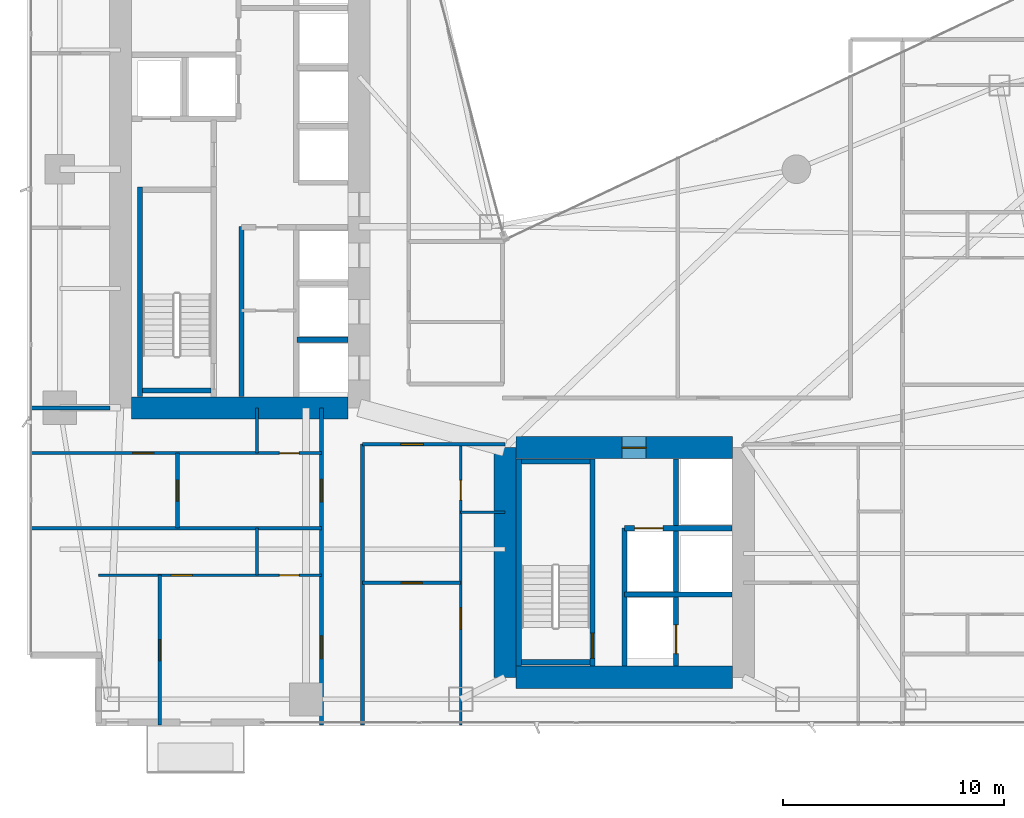
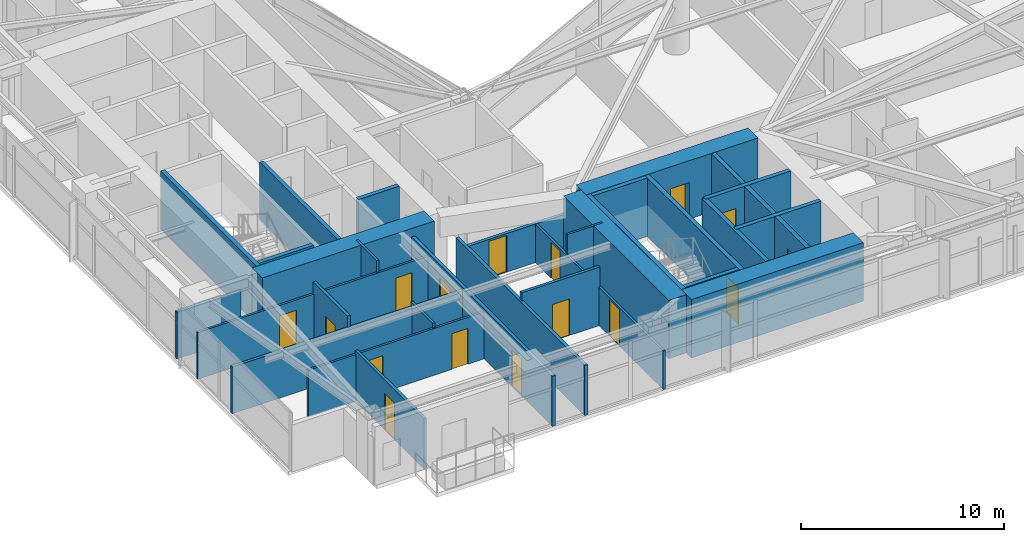
# One storey, part 21 of 28: 30 walls, 16 doors, 16 openings.
"""IFC4 building model written with IfcOpenShell, lengths in metres."""

from ifc_helpers import new_model, si_unit, direction, frame, frame_2d, origin, place, context, subcontext, project, spatial, rectangle, extrude, material, layer, layer_set, type_object, element, fill, save


model = new_model("IFC4")

# Units and contexts
model_context = context("Model", 3, precision=1e-05, world=origin(), true_north=direction((0.0, 1.0)))
body_context = subcontext(model_context, "Body", "Model", "MODEL_VIEW")
ifc_project = project(units=[si_unit("LENGTHUNIT", "METRE"), si_unit("AREAUNIT", "SQUARE_METRE"), si_unit("VOLUMEUNIT", "CUBIC_METRE"), si_unit("PLANEANGLEUNIT", "RADIAN"), si_unit("MASSUNIT", "GRAM", prefix="KILO")], contexts=[model_context])

# Site, building, storey
site_placement = place(None, origin())
site = spatial("IfcSite", under=ifc_project, at=site_placement, CompositionType="ELEMENT")
building_placement = place(site_placement, origin())
building = spatial("IfcBuilding", under=site, at=building_placement, Name="Calvorn Quay Hotel", CompositionType="ELEMENT")
storey_placement = place(building_placement, frame((0.0, 0.0, 42.199951171875)))
storey = spatial("IfcBuildingStorey", under=building, at=storey_placement, Name="L09", CompositionType="ELEMENT", Elevation=42.199951171875)

# Walls
ifc_material_1 = material(Name="Concrete C60", Category="concrete")
ifc_layer_1 = layer(ifc_material_1, 1.0)
ifc_layer_set_1 = layer_set([ifc_layer_1], Name="WL-CORE-1000")
wall_type_1 = type_object("IfcWallType", Name="WL-CORE-1000", PredefinedType="SHEAR", material=ifc_layer_set_1)
wall_1_placement = place(storey_placement, frame((4.699951171875, 16.800048828125, 0.0), z_axis=(0.0, 0.0, 1.0), x_axis=(1.0, 0.0, 0.0)))
element("IfcWall", 1, at=wall_1_placement, inside=storey, type_object=wall_type_1, Name="West Core Shear Wall S (L09)", PredefinedType="SHEAR", context=body_context, shape_type="SweptSolid", body=[
    extrude(rectangle(XDim=9.800048828125, YDim=1.0, at=frame_2d((4.89990234375, 0.0))), origin(), (0.0, 0.0, 1.0), 3.52001953125),
])
wall_2_placement = place(storey_placement, frame((21.60009765625, 4.60009765625, 0.0), z_axis=(0.0, 0.0, 1.0), x_axis=(0.0, 1.0, 0.0)))
element("IfcWall", 2, at=wall_2_placement, inside=storey, type_object=wall_type_1, Name="East Core Shear Wall W (L09)", PredefinedType="SHEAR", context=body_context, shape_type="SweptSolid", body=[
    extrude(rectangle(XDim=10.39990234375, YDim=1.0, at=frame_2d((5.199951171875, 0.0))), origin(), (0.0, 0.0, 1.0), 3.52001953125),
])

# Wall, opening, door
wall_3_placement = place(storey_placement, frame((22.10009765625, 15.0, 0.0), z_axis=(0.0, 0.0, 1.0), x_axis=(1.0, 0.0, 0.0)))
wall_3 = element("IfcWall", 3, at=wall_3_placement, inside=storey, type_object=wall_type_1, Name="East Core Shear Wall N (L09)", PredefinedType="SHEAR", context=body_context, shape_type="SweptSolid", body=[
    extrude(rectangle(XDim=9.7998046875, YDim=1.0, at=frame_2d((4.89990234375, 0.0))), origin(), (0.0, 0.0, 1.0), 3.52001953125),
])
opening_1_placement = place(wall_3_placement, frame((4.800048828125, 0.0, 0.0)))
opening_1 = element("IfcOpeningElement", 4, at=opening_1_placement, cuts=wall_3, Name="Opening D-L09-FLE", PredefinedType="OPENING", context=body_context, shape_type="SweptSolid", body=[
    extrude(rectangle(XDim=1.10009765625, YDim=2.199951171875, at=frame_2d((0.550048828125, 1.10009765625))), frame((0.0, 0.510009765625, 0.0), z_axis=(0.0, -1.0, 0.0), x_axis=(1.0, 0.0, 0.0)), (0.0, 0.0, 1.0), 1.02001953125),
])
ifc_material_2 = material(Name="Smoke-Sealed Steel Class A Fire Door", Category="steel")
door_type_1 = type_object("IfcDoorType", Name="DR-FFLOBBY-1100", OperationType="NOTDEFINED", PredefinedType="DOOR", material=ifc_material_2)
door_1_placement = place(opening_1_placement, origin())
door_1 = element("IfcDoor", 5, at=door_1_placement, inside=storey, type_object=door_type_1, Name="East Firefighting Lobby Fire Door (L09)", OperationType="SINGLE_SWING_LEFT", OverallHeight=2.199951171875, OverallWidth=1.10009765625, PredefinedType="DOOR", context=body_context, shape_type="SweptSolid", body=[
    extrude(rectangle(XDim=1.10009765625, YDim=2.199951171875, at=frame_2d((0.550048828125, 1.10009765625))), frame((0.0, 0.02490234375, 0.0), z_axis=(0.0, -1.0, 0.0), x_axis=(1.0, 0.0, 0.0)), (0.0, 0.0, 1.0), 0.050048828125),
])
fill(opening_1, door_1)

# Walls
wall_4_placement = place(storey_placement, frame((22.10009765625, 4.60009765625, 0.0), z_axis=(0.0, 0.0, 1.0), x_axis=(1.0, 0.0, 0.0)))
element("IfcWall", 6, at=wall_4_placement, inside=storey, type_object=wall_type_1, Name="East Core Shear Wall S (L09)", PredefinedType="SHEAR", context=body_context, shape_type="SweptSolid", body=[
    extrude(rectangle(XDim=9.7998046875, YDim=1.0, at=frame_2d((4.89990234375, 0.0))), origin(), (0.0, 0.0, 1.0), 3.52001953125),
])
ifc_material_3 = material(Name="Acoustic Fireboard Steel-Stud Partition", Category="steel")
ifc_layer_2 = layer(ifc_material_3, 0.179931640625)
ifc_layer_set_2 = layer_set([ifc_layer_2], Name="WL-CORR-FIRE-180")
wall_type_2 = type_object("IfcWallType", Name="WL-CORR-FIRE-180", PredefinedType="PARTITIONING", material=ifc_layer_set_2)
wall_5_placement = place(storey_placement, frame((0.080078125, 16.800048828125, 0.0), z_axis=(0.0, 0.0, 1.0), x_axis=(1.0, 0.0, 0.0)))
element("IfcWall", 7, at=wall_5_placement, inside=storey, type_object=wall_type_2, Name="Partition Wall L09-WL-WBAY-S-WALL", PredefinedType="PARTITIONING", context=body_context, shape_type="SweptSolid", body=[
    extrude(rectangle(XDim=3.64990234375, YDim=0.179931640625, at=frame_2d((1.824951171875, 0.0))), origin(), (0.0, 0.0, 1.0), 2.820068359375),
])

# Wall, openings, doors
wall_6_placement = place(storey_placement, frame((13.300048828125, 2.43994140625, 0.0), z_axis=(0.0, 0.0, 1.0), x_axis=(0.0, 1.0, 0.0)))
wall_6 = element("IfcWall", 8, at=wall_6_placement, inside=storey, type_object=wall_type_2, Name="Partition Wall L09-WL-CORR-SW-LEG-W", PredefinedType="PARTITIONING", context=body_context, shape_type="SweptSolid", body=[
    extrude(rectangle(XDim=14.360107421875, YDim=0.179931640625, at=frame_2d((7.18017578125, 0.0))), origin(), (0.0, 0.0, 1.0), 3.02001953125),
])
opening_2_placement = place(wall_6_placement, frame((3.010009765625, 0.0, 0.0)))
opening_2 = element("IfcOpeningElement", 9, at=opening_2_placement, cuts=wall_6, Name="Opening D-L09-U01", PredefinedType="OPENING", context=body_context, shape_type="SweptSolid", body=[
    extrude(rectangle(XDim=1.02001953125, YDim=2.199951171875, at=frame_2d((0.510009765625, 1.10009765625))), frame((0.0, 0.099853515625, 0.0), z_axis=(0.0, -1.0, 0.0), x_axis=(1.0, 0.0, 0.0)), (0.0, 0.0, 1.0), 0.199951171875),
])
opening_3_placement = place(wall_6_placement, frame((10.10009765625, 0.0, 0.0)))
opening_3 = element("IfcOpeningElement", 10, at=opening_3_placement, cuts=wall_6, Name="Opening D-L09-U02", PredefinedType="OPENING", context=body_context, shape_type="SweptSolid", body=[
    extrude(rectangle(XDim=1.02001953125, YDim=2.199951171875, at=frame_2d((0.510009765625, 1.10009765625))), frame((0.0, 0.099853515625, 0.0), z_axis=(0.0, -1.0, 0.0), x_axis=(1.0, 0.0, 0.0)), (0.0, 0.0, 1.0), 0.199951171875),
])
ifc_material_4 = material(Name="Solid-Core Walnut Veneer Hotel Fire Door")
door_type_2 = type_object("IfcDoorType", Name="DR-GUEST-ENTRY-1020", OperationType="NOTDEFINED", PredefinedType="DOOR", material=ifc_material_4)
door_2_placement = place(opening_2_placement, origin())
door_2 = element("IfcDoor", 11, at=door_2_placement, inside=storey, type_object=door_type_2, Name="South-West Unit Door U01 (L09)", OperationType="SINGLE_SWING_LEFT", OverallHeight=2.199951171875, OverallWidth=1.02001953125, PredefinedType="DOOR", context=body_context, shape_type="SweptSolid", body=[
    extrude(rectangle(XDim=1.02001953125, YDim=2.199951171875, at=frame_2d((0.510009765625, 1.10009765625))), frame((0.0, 0.02490234375, 0.0), z_axis=(0.0, -1.0, 0.0), x_axis=(1.0, 0.0, 0.0)), (0.0, 0.0, 1.0), 0.050048828125),
])
fill(opening_2, door_2)
door_3_placement = place(opening_3_placement, origin())
door_3 = element("IfcDoor", 12, at=door_3_placement, inside=storey, type_object=door_type_2, Name="South-West Unit Door U02 (L09)", OperationType="SINGLE_SWING_RIGHT", OverallHeight=2.199951171875, OverallWidth=1.02001953125, PredefinedType="DOOR", context=body_context, shape_type="SweptSolid", body=[
    extrude(rectangle(XDim=1.02001953125, YDim=2.199951171875, at=frame_2d((0.510009765625, 1.10009765625))), frame((0.0, 0.02490234375, 0.0), z_axis=(0.0, -1.0, 0.0), x_axis=(1.0, 0.0, 0.0)), (0.0, 0.0, 1.0), 0.050048828125),
])
fill(opening_3, door_3)

# Wall
wall_7_placement = place(storey_placement, frame((15.14990234375, 2.43994140625, 0.0), z_axis=(0.0, 0.0, 1.0), x_axis=(0.0, 1.0, 0.0)))
element("IfcWall", 13, at=wall_7_placement, inside=storey, type_object=wall_type_2, Name="Partition Wall L09-WL-CORR-SW-W", PredefinedType="PARTITIONING", context=body_context, shape_type="SweptSolid", body=[
    extrude(rectangle(XDim=12.7099609375, YDim=0.179931640625, at=frame_2d((6.35498046875, 0.0))), origin(), (0.0, 0.0, 1.0), 3.02001953125),
])

# Wall, opening, door
wall_8_placement = place(storey_placement, frame((15.14990234375, 15.14990234375, 0.0), z_axis=(0.0, 0.0, 1.0), x_axis=(1.0, 0.0, 0.0)))
wall_8 = element("IfcWall", 14, at=wall_8_placement, inside=storey, type_object=wall_type_2, Name="Partition Wall L09-WL-SC-CORR-S", PredefinedType="PARTITIONING", context=body_context, shape_type="SweptSolid", body=[
    extrude(rectangle(XDim=6.4501953125, YDim=0.179931640625, at=frame_2d((3.22509765625, 0.0))), origin(), (0.0, 0.0, 1.0), 2.320068359375),
])
opening_4_placement = place(wall_8_placement, frame((1.739990234375, 0.0, 0.0)))
opening_4 = element("IfcOpeningElement", 15, at=opening_4_placement, cuts=wall_8, Name="Opening D-L09-U03", PredefinedType="OPENING", context=body_context, shape_type="SweptSolid", body=[
    extrude(rectangle(XDim=1.02001953125, YDim=2.199951171875, at=frame_2d((0.510009765625, 1.10009765625))), frame((0.0, 0.099853515625, 0.0), z_axis=(0.0, -1.0, 0.0), x_axis=(1.0, 0.0, 0.0)), (0.0, 0.0, 1.0), 0.199951171875),
])
door_4_placement = place(opening_4_placement, origin())
door_4 = element("IfcDoor", 16, at=door_4_placement, inside=storey, type_object=door_type_2, Name="Harbour Central Unit Door (L09)", OperationType="SINGLE_SWING_LEFT", OverallHeight=2.199951171875, OverallWidth=1.02001953125, PredefinedType="DOOR", context=body_context, shape_type="SweptSolid", body=[
    extrude(rectangle(XDim=1.02001953125, YDim=2.199951171875, at=frame_2d((0.510009765625, 1.10009765625))), frame((0.0, 0.02490234375, 0.0), z_axis=(0.0, -1.0, 0.0), x_axis=(1.0, 0.0, 0.0)), (0.0, 0.0, 1.0), 0.050048828125),
])
fill(opening_4, door_4)

# Wall
ifc_material_5 = material(Name="Moisture-Resistant Tile-Backed Partition")
ifc_layer_3 = layer(ifc_material_5, 0.125)
ifc_layer_set_3 = layer_set([ifc_layer_3], Name="WL-ENSUITE-125")
wall_type_3 = type_object("IfcWallType", Name="WL-ENSUITE-125", PredefinedType="PARTITIONING", material=ifc_layer_set_3)
wall_9_placement = place(storey_placement, frame((10.3798828125, 9.219970703125, 0.0), z_axis=(0.0, 0.0, 1.0), x_axis=(0.0, 1.0, 0.0)))
element("IfcWall", 17, at=wall_9_placement, inside=storey, type_object=wall_type_3, Name="Partition Wall L09-WL-U01-BDV", PredefinedType="PARTITIONING", context=body_context, shape_type="SweptSolid", body=[
    extrude(rectangle(XDim=2.130126953125, YDim=0.125, at=frame_2d((1.06494140625, 0.0))), origin(), (0.0, 0.0, 1.0), 3.1201171875),
])

# Wall, openings, doors
wall_10_placement = place(storey_placement, frame((3.199951171875, 9.219970703125, 0.0), z_axis=(0.0, 0.0, 1.0), x_axis=(1.0, 0.0, 0.0)))
wall_10 = element("IfcWall", 18, at=wall_10_placement, inside=storey, type_object=wall_type_3, Name="Partition Wall L09-WL-U01-BH", PredefinedType="PARTITIONING", context=body_context, shape_type="SweptSolid", body=[
    extrude(rectangle(XDim=10.10009765625, YDim=0.125, at=frame_2d((5.050048828125, 0.0))), origin(), (0.0, 0.0, 1.0), 2.820068359375),
])
opening_5_placement = place(wall_10_placement, frame((3.2900390625, 0.0, 0.0)))
opening_5 = element("IfcOpeningElement", 19, at=opening_5_placement, cuts=wall_10, Name="Opening D-L09-S01", PredefinedType="OPENING", context=body_context, shape_type="SweptSolid", body=[
    extrude(rectangle(XDim=0.9599609375, YDim=2.199951171875, at=frame_2d((0.47998046875, 1.10009765625))), frame((0.0, 0.072509765625, 0.0), z_axis=(0.0, -1.0, 0.0), x_axis=(1.0, 0.0, 0.0)), (0.0, 0.0, 1.0), 0.14501953125),
])
opening_6_placement = place(wall_10_placement, frame((8.18994140625, 0.0, 0.0)))
opening_6 = element("IfcOpeningElement", 20, at=opening_6_placement, cuts=wall_10, Name="Opening D-L09-E01", PredefinedType="OPENING", context=body_context, shape_type="SweptSolid", body=[
    extrude(rectangle(XDim=0.89990234375, YDim=2.14990234375, at=frame_2d((0.449951171875, 1.074951171875))), frame((0.0, 0.072509765625, 0.0), z_axis=(0.0, -1.0, 0.0), x_axis=(1.0, 0.0, 0.0)), (0.0, 0.0, 1.0), 0.14501953125),
])
ifc_material_6 = material(Name="Moisture-Sealed Timber En-Suite Door", Category="wood")
door_type_3 = type_object("IfcDoorType", Name="DR-ENSUITE-900", OperationType="NOTDEFINED", PredefinedType="DOOR", material=ifc_material_6)
door_5_placement = place(opening_6_placement, origin())
door_5 = element("IfcDoor", 21, at=door_5_placement, inside=storey, type_object=door_type_3, Name="En-Suite Door 01", OperationType="SINGLE_SWING_RIGHT", OverallHeight=2.14990234375, OverallWidth=0.89990234375, PredefinedType="DOOR", context=body_context, shape_type="SweptSolid", body=[
    extrude(rectangle(XDim=0.89990234375, YDim=2.14990234375, at=frame_2d((0.449951171875, 1.074951171875))), frame((0.0, 0.02490234375, 0.0), z_axis=(0.0, -1.0, 0.0), x_axis=(1.0, 0.0, 0.0)), (0.0, 0.0, 1.0), 0.050048828125),
])
fill(opening_6, door_5)
ifc_material_7 = material(Name="Solid Timber Internal Suite Door", Category="wood")
door_type_4 = type_object("IfcDoorType", Name="DR-SUITE-INT-960", OperationType="NOTDEFINED", PredefinedType="DOOR", material=ifc_material_7)
door_6_placement = place(opening_5_placement, origin())
door_6 = element("IfcDoor", 22, at=door_6_placement, inside=storey, type_object=door_type_4, Name="Walk-In Wardrobe Door 01", OperationType="SINGLE_SWING_LEFT", OverallHeight=2.199951171875, OverallWidth=0.9599609375, PredefinedType="DOOR", context=body_context, shape_type="SweptSolid", body=[
    extrude(rectangle(XDim=0.9599609375, YDim=2.199951171875, at=frame_2d((0.47998046875, 1.10009765625))), frame((0.0, 0.02490234375, 0.0), z_axis=(0.0, -1.0, 0.0), x_axis=(1.0, 0.0, 0.0)), (0.0, 0.0, 1.0), 0.050048828125),
])
fill(opening_5, door_6)

# Wall
wall_11_placement = place(storey_placement, frame((10.3798828125, 14.75, 0.0), z_axis=(0.0, 0.0, 1.0), x_axis=(0.0, 1.0, 0.0)))
element("IfcWall", 23, at=wall_11_placement, inside=storey, type_object=wall_type_3, Name="Partition Wall L09-WL-U02-BDV", PredefinedType="PARTITIONING", context=body_context, shape_type="SweptSolid", body=[
    extrude(rectangle(XDim=2.050048828125, YDim=0.125, at=frame_2d((1.02490234375, 0.0))), origin(), (0.0, 0.0, 1.0), 3.52001953125),
])

# Wall, openings, doors
wall_12_placement = place(storey_placement, frame((0.080078125, 14.75, 0.0), z_axis=(0.0, 0.0, 1.0), x_axis=(1.0, 0.0, 0.0)))
wall_12 = element("IfcWall", 24, at=wall_12_placement, inside=storey, type_object=wall_type_3, Name="Partition Wall L09-WL-U02-BH", PredefinedType="PARTITIONING", context=body_context, shape_type="SweptSolid", body=[
    extrude(rectangle(XDim=13.219970703125, YDim=0.125, at=frame_2d((6.60986328125, 0.0))), origin(), (0.0, 0.0, 1.0), 2.820068359375),
])
opening_7_placement = place(wall_12_placement, frame((4.669921875, 0.0, 0.0)))
opening_7 = element("IfcOpeningElement", 25, at=opening_7_placement, cuts=wall_12, Name="Opening D-L09-S02", PredefinedType="OPENING", context=body_context, shape_type="SweptSolid", body=[
    extrude(rectangle(XDim=0.9599609375, YDim=2.199951171875, at=frame_2d((0.47998046875, 1.10009765625))), frame((0.0, 0.072509765625, 0.0), z_axis=(0.0, -1.0, 0.0), x_axis=(1.0, 0.0, 0.0)), (0.0, 0.0, 1.0), 0.14501953125),
])
opening_8_placement = place(wall_12_placement, frame((11.31005859375, 0.0, 0.0)))
opening_8 = element("IfcOpeningElement", 26, at=opening_8_placement, cuts=wall_12, Name="Opening D-L09-E02", PredefinedType="OPENING", context=body_context, shape_type="SweptSolid", body=[
    extrude(rectangle(XDim=0.89990234375, YDim=2.14990234375, at=frame_2d((0.449951171875, 1.074951171875))), frame((0.0, 0.072509765625, 0.0), z_axis=(0.0, -1.0, 0.0), x_axis=(1.0, 0.0, 0.0)), (0.0, 0.0, 1.0), 0.14501953125),
])
door_7_placement = place(opening_8_placement, origin())
door_7 = element("IfcDoor", 27, at=door_7_placement, inside=storey, type_object=door_type_3, Name="En-Suite Door 02", OperationType="SINGLE_SWING_RIGHT", OverallHeight=2.14990234375, OverallWidth=0.89990234375, PredefinedType="DOOR", context=body_context, shape_type="SweptSolid", body=[
    extrude(rectangle(XDim=0.89990234375, YDim=2.14990234375, at=frame_2d((0.449951171875, 1.074951171875))), frame((0.0, 0.02490234375, 0.0), z_axis=(0.0, -1.0, 0.0), x_axis=(1.0, 0.0, 0.0)), (0.0, 0.0, 1.0), 0.050048828125),
])
fill(opening_8, door_7)
door_8_placement = place(opening_7_placement, origin())
door_8 = element("IfcDoor", 28, at=door_8_placement, inside=storey, type_object=door_type_4, Name="Walk-In Wardrobe Door 02", OperationType="SINGLE_SWING_LEFT", OverallHeight=2.199951171875, OverallWidth=0.9599609375, PredefinedType="DOOR", context=body_context, shape_type="SweptSolid", body=[
    extrude(rectangle(XDim=0.9599609375, YDim=2.199951171875, at=frame_2d((0.47998046875, 1.10009765625))), frame((0.0, 0.02490234375, 0.0), z_axis=(0.0, -1.0, 0.0), x_axis=(1.0, 0.0, 0.0)), (0.0, 0.0, 1.0), 0.050048828125),
])
fill(opening_7, door_8)

# Wall
wall_13_placement = place(storey_placement, frame((19.60009765625, 12.070068359375, 0.0), z_axis=(0.0, 0.0, 1.0), x_axis=(1.0, 0.0, 0.0)))
element("IfcWall", 29, at=wall_13_placement, inside=storey, type_object=wall_type_3, Name="Partition Wall L09-WL-U03-BDV", PredefinedType="PARTITIONING", context=body_context, shape_type="SweptSolid", body=[
    extrude(rectangle(XDim=2.0, YDim=0.125, at=frame_2d((1.0, 0.0))), origin(), (0.0, 0.0, 1.0), 3.52001953125),
])

# Wall, openings, doors
wall_14_placement = place(storey_placement, frame((19.60009765625, 2.43994140625, 0.0), z_axis=(0.0, 0.0, 1.0), x_axis=(0.0, 1.0, 0.0)))
wall_14 = element("IfcWall", 30, at=wall_14_placement, inside=storey, type_object=wall_type_3, Name="Partition Wall L09-WL-U03-BV", PredefinedType="PARTITIONING", context=body_context, shape_type="SweptSolid", body=[
    extrude(rectangle(XDim=12.7099609375, YDim=0.125, at=frame_2d((6.35498046875, 0.0))), origin(), (0.0, 0.0, 1.0), 2.320068359375),
])
opening_9_placement = place(wall_14_placement, frame((4.340087890625, 0.0, 0.0)))
opening_9 = element("IfcOpeningElement", 31, at=opening_9_placement, cuts=wall_14, Name="Opening D-L09-S03", PredefinedType="OPENING", context=body_context, shape_type="SweptSolid", body=[
    extrude(rectangle(XDim=0.9599609375, YDim=2.199951171875, at=frame_2d((0.47998046875, 1.10009765625))), frame((0.0, 0.072509765625, 0.0), z_axis=(0.0, -1.0, 0.0), x_axis=(1.0, 0.0, 0.0)), (0.0, 0.0, 1.0), 0.14501953125),
])
opening_10_placement = place(wall_14_placement, frame((10.179931640625, 0.0, 0.0)))
opening_10 = element("IfcOpeningElement", 32, at=opening_10_placement, cuts=wall_14, Name="Opening D-L09-E03", PredefinedType="OPENING", context=body_context, shape_type="SweptSolid", body=[
    extrude(rectangle(XDim=0.89990234375, YDim=2.14990234375, at=frame_2d((0.449951171875, 1.074951171875))), frame((0.0, 0.072509765625, 0.0), z_axis=(0.0, -1.0, 0.0), x_axis=(1.0, 0.0, 0.0)), (0.0, 0.0, 1.0), 0.14501953125),
])
door_9_placement = place(opening_10_placement, origin())
door_9 = element("IfcDoor", 33, at=door_9_placement, inside=storey, type_object=door_type_3, Name="En-Suite Door 03", OperationType="SINGLE_SWING_RIGHT", OverallHeight=2.14990234375, OverallWidth=0.89990234375, PredefinedType="DOOR", context=body_context, shape_type="SweptSolid", body=[
    extrude(rectangle(XDim=0.89990234375, YDim=2.14990234375, at=frame_2d((0.449951171875, 1.074951171875))), frame((0.0, 0.02490234375, 0.0), z_axis=(0.0, -1.0, 0.0), x_axis=(1.0, 0.0, 0.0)), (0.0, 0.0, 1.0), 0.050048828125),
])
fill(opening_10, door_9)
door_10_placement = place(opening_9_placement, origin())
door_10 = element("IfcDoor", 34, at=door_10_placement, inside=storey, type_object=door_type_4, Name="Walk-In Wardrobe Door 03", OperationType="SINGLE_SWING_LEFT", OverallHeight=2.199951171875, OverallWidth=0.9599609375, PredefinedType="DOOR", context=body_context, shape_type="SweptSolid", body=[
    extrude(rectangle(XDim=0.9599609375, YDim=2.199951171875, at=frame_2d((0.47998046875, 1.10009765625))), frame((0.0, 0.02490234375, 0.0), z_axis=(0.0, -1.0, 0.0), x_axis=(1.0, 0.0, 0.0)), (0.0, 0.0, 1.0), 0.050048828125),
])
fill(opening_9, door_10)

# Wall, opening, door
ifc_material_8 = material(Name="Double-Stud Acoustic Gypsum Partition")
ifc_layer_4 = layer(ifc_material_8, 0.159912109375)
ifc_layer_set_4 = layer_set([ifc_layer_4], Name="WL-INTERSUITE-160")
wall_type_4 = type_object("IfcWallType", Name="WL-INTERSUITE-160", PredefinedType="PARTITIONING", material=ifc_layer_set_4)
wall_15_placement = place(storey_placement, frame((5.97998046875, 2.43994140625, 0.0), z_axis=(0.0, 0.0, 1.0), x_axis=(0.0, 1.0, 0.0)))
wall_15 = element("IfcWall", 35, at=wall_15_placement, inside=storey, type_object=wall_type_4, Name="Partition Wall L09-WL-U01-MSP", PredefinedType="PARTITIONING", context=body_context, shape_type="SweptSolid", body=[
    extrude(rectangle(XDim=6.780029296875, YDim=0.159912109375, at=frame_2d((3.39013671875, 0.0))), origin(), (0.0, 0.0, 1.0), 3.02001953125),
])
opening_11_placement = place(wall_15_placement, frame((2.909912109375, 0.0, 0.0)))
opening_11 = element("IfcOpeningElement", 36, at=opening_11_placement, cuts=wall_15, Name="Opening D-L09-M01", PredefinedType="OPENING", context=body_context, shape_type="SweptSolid", body=[
    extrude(rectangle(XDim=0.9599609375, YDim=2.199951171875, at=frame_2d((0.47998046875, 1.10009765625))), frame((0.0, 0.08984375, 0.0), z_axis=(0.0, -1.0, 0.0), x_axis=(1.0, 0.0, 0.0)), (0.0, 0.0, 1.0), 0.179931640625),
])
door_11_placement = place(opening_11_placement, origin())
door_11 = element("IfcDoor", 37, at=door_11_placement, inside=storey, type_object=door_type_4, Name="Suite Bedroom Door 01", OperationType="SINGLE_SWING_LEFT", OverallHeight=2.199951171875, OverallWidth=0.9599609375, PredefinedType="DOOR", context=body_context, shape_type="SweptSolid", body=[
    extrude(rectangle(XDim=0.9599609375, YDim=2.199951171875, at=frame_2d((0.47998046875, 1.10009765625))), frame((0.0, 0.02490234375, 0.0), z_axis=(0.0, -1.0, 0.0), x_axis=(1.0, 0.0, 0.0)), (0.0, 0.0, 1.0), 0.050048828125),
])
fill(opening_11, door_11)

wall_16_placement = place(storey_placement, frame((6.780029296875, 11.35009765625, 0.0), z_axis=(0.0, 0.0, 1.0), x_axis=(0.0, 1.0, 0.0)))
wall_16 = element("IfcWall", 38, at=wall_16_placement, inside=storey, type_object=wall_type_4, Name="Partition Wall L09-WL-U02-MSP", PredefinedType="PARTITIONING", context=body_context, shape_type="SweptSolid", body=[
    extrude(rectangle(XDim=3.39990234375, YDim=0.159912109375, at=frame_2d((1.699951171875, 0.0))), origin(), (0.0, 0.0, 1.0), 3.52001953125),
])
opening_12_placement = place(wall_16_placement, frame((1.219970703125, 0.0, 0.0)))
opening_12 = element("IfcOpeningElement", 39, at=opening_12_placement, cuts=wall_16, Name="Opening D-L09-M02", PredefinedType="OPENING", context=body_context, shape_type="SweptSolid", body=[
    extrude(rectangle(XDim=0.9599609375, YDim=2.199951171875, at=frame_2d((0.47998046875, 1.10009765625))), frame((0.0, 0.08984375, 0.0), z_axis=(0.0, -1.0, 0.0), x_axis=(1.0, 0.0, 0.0)), (0.0, 0.0, 1.0), 0.179931640625),
])
door_12_placement = place(opening_12_placement, origin())
door_12 = element("IfcDoor", 40, at=door_12_placement, inside=storey, type_object=door_type_4, Name="Suite Bedroom Door 02", OperationType="SINGLE_SWING_LEFT", OverallHeight=2.199951171875, OverallWidth=0.9599609375, PredefinedType="DOOR", context=body_context, shape_type="SweptSolid", body=[
    extrude(rectangle(XDim=0.9599609375, YDim=2.199951171875, at=frame_2d((0.47998046875, 1.10009765625))), frame((0.0, 0.02490234375, 0.0), z_axis=(0.0, -1.0, 0.0), x_axis=(1.0, 0.0, 0.0)), (0.0, 0.0, 1.0), 0.050048828125),
])
fill(opening_12, door_12)

# Wall
wall_17_placement = place(storey_placement, frame((0.080078125, 11.35009765625, 0.0), z_axis=(0.0, 0.0, 1.0), x_axis=(1.0, 0.0, 0.0)))
element("IfcWall", 41, at=wall_17_placement, inside=storey, type_object=wall_type_4, Name="Partition Wall L09-WL-SW-DIV-1", PredefinedType="PARTITIONING", context=body_context, shape_type="SweptSolid", body=[
    extrude(rectangle(XDim=13.219970703125, YDim=0.159912109375, at=frame_2d((6.60986328125, 0.0))), origin(), (0.0, 0.0, 1.0), 2.820068359375),
])

# Wall, opening, door
wall_18_placement = place(storey_placement, frame((15.14990234375, 8.8701171875, 0.0), z_axis=(0.0, 0.0, 1.0), x_axis=(1.0, 0.0, 0.0)))
wall_18 = element("IfcWall", 42, at=wall_18_placement, inside=storey, type_object=wall_type_4, Name="Partition Wall L09-WL-U03-MSP", PredefinedType="PARTITIONING", context=body_context, shape_type="SweptSolid", body=[
    extrude(rectangle(XDim=4.4501953125, YDim=0.159912109375, at=frame_2d((2.22509765625, 0.0))), origin(), (0.0, 0.0, 1.0), 3.52001953125),
])
opening_13_placement = place(wall_18_placement, frame((1.75, 0.0, 0.0)))
opening_13 = element("IfcOpeningElement", 43, at=opening_13_placement, cuts=wall_18, Name="Opening D-L09-M03", PredefinedType="OPENING", context=body_context, shape_type="SweptSolid", body=[
    extrude(rectangle(XDim=0.9599609375, YDim=2.199951171875, at=frame_2d((0.47998046875, 1.10009765625))), frame((0.0, 0.08984375, 0.0), z_axis=(0.0, -1.0, 0.0), x_axis=(1.0, 0.0, 0.0)), (0.0, 0.0, 1.0), 0.179931640625),
])
door_13_placement = place(opening_13_placement, origin())
door_13 = element("IfcDoor", 44, at=door_13_placement, inside=storey, type_object=door_type_4, Name="Suite Bedroom Door 03", OperationType="SINGLE_SWING_LEFT", OverallHeight=2.199951171875, OverallWidth=0.9599609375, PredefinedType="DOOR", context=body_context, shape_type="SweptSolid", body=[
    extrude(rectangle(XDim=0.9599609375, YDim=2.199951171875, at=frame_2d((0.47998046875, 1.10009765625))), frame((0.0, 0.02490234375, 0.0), z_axis=(0.0, -1.0, 0.0), x_axis=(1.0, 0.0, 0.0)), (0.0, 0.0, 1.0), 0.050048828125),
])
fill(opening_13, door_13)

# Walls
ifc_material_9 = material(Name="Autoclaved Aerated Masonry Block", Category="masonry")
ifc_layer_5 = layer(ifc_material_9, 0.219970703125)
ifc_layer_set_5 = layer_set([ifc_layer_5], Name="WL-LOBBY-FIRE-220")
wall_type_5 = type_object("IfcWallType", Name="WL-LOBBY-FIRE-220", PredefinedType="SOLIDWALL", material=ifc_layer_set_5)
wall_19_placement = place(storey_placement, frame((9.679931640625, 17.320068359375, 0.0), z_axis=(0.0, 0.0, 1.0), x_axis=(0.0, 1.0, 0.0)))
element("IfcWall", 45, at=wall_19_placement, inside=storey, type_object=wall_type_5, Name="Partition Wall L09-WL-CWW-STW-HALL-E", PredefinedType="SOLIDWALL", context=body_context, shape_type="SweptSolid", body=[
    extrude(rectangle(XDim=7.679931640625, YDim=0.219970703125, at=frame_2d((3.83984375, 0.0))), origin(), (0.0, 0.0, 1.0), 3.52001953125),
])
ifc_material_10 = material(Name="Concrete C40", Category="concrete")
ifc_layer_6 = layer(ifc_material_10, 0.239990234375)
ifc_layer_set_6 = layer_set([ifc_layer_6], Name="WL-SHAFT-240")
wall_type_6 = type_object("IfcWallType", Name="WL-SHAFT-240", PredefinedType="SOLIDWALL", material=ifc_layer_set_6)
wall_20_placement = place(storey_placement, frame((5.080078125, 17.300048828125, 0.0), z_axis=(0.0, 0.0, 1.0), x_axis=(0.0, 1.0, 0.0)))
element("IfcWall", 46, at=wall_20_placement, inside=storey, type_object=wall_type_6, Name="Stair STW Shaft Wall W (L09)", PredefinedType="SOLIDWALL", context=body_context, shape_type="SweptSolid", body=[
    extrude(rectangle(XDim=9.489990234375, YDim=0.239990234375, at=frame_2d((4.7451171875, 0.0))), origin(), (0.0, 0.0, 1.0), 3.52001953125),
])
wall_21_placement = place(storey_placement, frame((5.199951171875, 17.580078125, 0.0), z_axis=(0.0, 0.0, 1.0), x_axis=(1.0, 0.0, 0.0)))
element("IfcWall", 47, at=wall_21_placement, inside=storey, type_object=wall_type_6, Name="Stair STW Shaft Wall S (L09)", PredefinedType="SOLIDWALL", context=body_context, shape_type="SweptSolid", body=[
    extrude(rectangle(XDim=3.10009765625, YDim=0.239990234375, at=frame_2d((1.550048828125, 0.0))), origin(), (0.0, 0.0, 1.0), 3.52001953125),
])
wall_22_placement = place(storey_placement, frame((22.22998046875, 5.10009765625, 0.0), z_axis=(0.0, 0.0, 1.0), x_axis=(0.0, 1.0, 0.0)))
element("IfcWall", 48, at=wall_22_placement, inside=storey, type_object=wall_type_6, Name="Stair STE Shaft Wall W (L09)", PredefinedType="SOLIDWALL", context=body_context, shape_type="SweptSolid", body=[
    extrude(rectangle(XDim=9.389892578125, YDim=0.239990234375, at=frame_2d((4.69482421875, 0.0))), origin(), (0.0, 0.0, 1.0), 3.52001953125),
])

# Wall, opening, door
wall_23_placement = place(storey_placement, frame((25.570068359375, 5.10009765625, 0.0), z_axis=(0.0, 0.0, 1.0), x_axis=(0.0, 1.0, 0.0)))
wall_23 = element("IfcWall", 49, at=wall_23_placement, inside=storey, type_object=wall_type_6, Name="Stair STE Shaft Wall E (L09)", PredefinedType="SOLIDWALL", context=body_context, shape_type="SweptSolid", body=[
    extrude(rectangle(XDim=9.389892578125, YDim=0.239990234375, at=frame_2d((4.69482421875, 0.0))), origin(), (0.0, 0.0, 1.0), 3.52001953125),
])
opening_14_placement = place(wall_23_placement, frame((0.35009765625, 0.0, 0.0)))
opening_14 = element("IfcOpeningElement", 50, at=opening_14_placement, cuts=wall_23, Name="Opening D-L09-STE", PredefinedType="OPENING", context=body_context, shape_type="SweptSolid", body=[
    extrude(rectangle(XDim=1.14990234375, YDim=2.199951171875, at=frame_2d((0.574951171875, 1.10009765625))), frame((0.0, 0.1298828125, 0.0), z_axis=(0.0, -1.0, 0.0), x_axis=(1.0, 0.0, 0.0)), (0.0, 0.0, 1.0), 0.260009765625),
])
ifc_material_11 = material(Name="Galvanised Steel Class A Fire Door", Category="steel")
door_type_5 = type_object("IfcDoorType", Name="DR-STAIR-SMOKE-1150", OperationType="NOTDEFINED", PredefinedType="DOOR", material=ifc_material_11)
door_14_placement = place(opening_14_placement, origin())
door_14 = element("IfcDoor", 51, at=door_14_placement, inside=storey, type_object=door_type_5, Name="Stair ST-E Fire Door (L09)", OperationType="SINGLE_SWING_RIGHT", OverallHeight=2.199951171875, OverallWidth=1.14990234375, PredefinedType="DOOR", context=body_context, shape_type="SweptSolid", body=[
    extrude(rectangle(XDim=1.14990234375, YDim=2.199951171875, at=frame_2d((0.574951171875, 1.10009765625))), frame((0.0, 0.02490234375, 0.0), z_axis=(0.0, -1.0, 0.0), x_axis=(1.0, 0.0, 0.0)), (0.0, 0.0, 1.0), 0.050048828125),
])
fill(opening_14, door_14)

# Walls
for number, where, z_axis, x_axis, name in (
    (52, (22.35009765625, 5.280029296875, 0.0), (0.0, 0.0, 1.0), (1.0, 0.0, 0.0), "Stair STE Shaft Wall S (L09)"),
    (53, (22.35009765625, 14.3701171875, 0.0), (0.0, 0.0, 1.0), (1.0, 0.0, 0.0), "Stair STE Shaft Wall N (L09)"),
):
    element("IfcWall", number, at=place(storey_placement, frame(where, z_axis=z_axis, x_axis=x_axis)), inside=storey, type_object=wall_type_6, Name=name, PredefinedType="SOLIDWALL", context=body_context, shape_type="SweptSolid", body=[
        extrude(rectangle(XDim=3.099853515625, YDim=0.239990234375, at=frame_2d((1.5498046875, 0.0))), origin(), (0.0, 0.0, 1.0), 3.52001953125),
    ])
wall_24_placement = place(storey_placement, frame((12.179931640625, 19.875, 0.0), z_axis=(0.0, 0.0, 1.0), x_axis=(1.0, 0.0, 0.0)))
element("IfcWall", 54, at=wall_24_placement, inside=storey, type_object=wall_type_6, Name="Lift Hoistway Divider Wall PLL12 (L09)", PredefinedType="SOLIDWALL", context=body_context, shape_type="SweptSolid", body=[
    extrude(rectangle(XDim=2.320068359375, YDim=0.239990234375, at=frame_2d((1.16015625, 0.0))), origin(), (0.0, 0.0, 1.0), 3.52001953125),
])
wall_25_placement = place(storey_placement, frame((27.02001953125, 5.1201171875, 0.0), z_axis=(0.0, 0.0, 1.0), x_axis=(0.0, 1.0, 0.0)))
element("IfcWall", 55, at=wall_25_placement, inside=storey, type_object=wall_type_6, Name="Partition Wall L09-WL-CWE-SH-W", PredefinedType="SOLIDWALL", context=body_context, shape_type="SweptSolid", body=[
    extrude(rectangle(XDim=6.22998046875, YDim=0.239990234375, at=frame_2d((3.114990234375, 0.0))), origin(), (0.0, 0.0, 1.0), 3.52001953125),
])

# Wall, opening, door
wall_26_placement = place(storey_placement, frame((27.02001953125, 11.35009765625, 0.0), z_axis=(0.0, 0.0, 1.0), x_axis=(1.0, 0.0, 0.0)))
wall_26 = element("IfcWall", 56, at=wall_26_placement, inside=storey, type_object=wall_type_6, Name="Partition Wall L09-WL-CWE-FFL-S", PredefinedType="SOLIDWALL", context=body_context, shape_type="SweptSolid", body=[
    extrude(rectangle(XDim=4.85986328125, YDim=0.239990234375, at=frame_2d((2.429931640625, 0.0))), origin(), (0.0, 0.0, 1.0), 3.52001953125),
])
opening_15_placement = place(wall_26_placement, frame((0.449951171875, 0.0, 0.0)))
opening_15 = element("IfcOpeningElement", 57, at=opening_15_placement, cuts=wall_26, Name="Opening LD-L09-FLE1", PredefinedType="OPENING", context=body_context, shape_type="SweptSolid", body=[
    extrude(rectangle(XDim=1.300048828125, YDim=2.35009765625, at=frame_2d((0.64990234375, 1.175048828125))), frame((0.0, 0.1298828125, 0.0), z_axis=(0.0, -1.0, 0.0), x_axis=(1.0, 0.0, 0.0)), (0.0, 0.0, 1.0), 0.260009765625),
])
ifc_material_12 = material(Name="Champagne-Bronze Sliding Express Lift Landing Door")
door_type_6 = type_object("IfcDoorType", Name="DR-LIFT-SHUTTLE-1300", OperationType="NOTDEFINED", PredefinedType="DOOR", material=ifc_material_12)
door_15_placement = place(opening_15_placement, origin())
door_15 = element("IfcDoor", 58, at=door_15_placement, inside=storey, type_object=door_type_6, Name="Firefighting Lift FL-E1 Landing Door (L09)", OperationType="DOUBLE_DOOR_SLIDING", OverallHeight=2.35009765625, OverallWidth=1.300048828125, PredefinedType="DOOR", context=body_context, shape_type="SweptSolid", body=[
    extrude(rectangle(XDim=1.300048828125, YDim=2.35009765625, at=frame_2d((0.64990234375, 1.175048828125))), frame((0.0, 0.02490234375, 0.0), z_axis=(0.0, -1.0, 0.0), x_axis=(1.0, 0.0, 0.0)), (0.0, 0.0, 1.0), 0.050048828125),
])
fill(opening_15, door_15)

# Wall
wall_27_placement = place(storey_placement, frame((27.02001953125, 8.35009765625, 0.0), z_axis=(0.0, 0.0, 1.0), x_axis=(1.0, 0.0, 0.0)))
element("IfcWall", 59, at=wall_27_placement, inside=storey, type_object=wall_type_6, Name="Partition Wall L09-WL-CWE-SL-N", PredefinedType="SOLIDWALL", context=body_context, shape_type="SweptSolid", body=[
    extrude(rectangle(XDim=4.85986328125, YDim=0.239990234375, at=frame_2d((2.429931640625, 0.0))), origin(), (0.0, 0.0, 1.0), 3.52001953125),
])

# Wall, opening, door
wall_28_placement = place(storey_placement, frame((29.35009765625, 5.1201171875, 0.0), z_axis=(0.0, 0.0, 1.0), x_axis=(0.0, 1.0, 0.0)))
wall_28 = element("IfcWall", 60, at=wall_28_placement, inside=storey, type_object=wall_type_6, Name="Partition Wall L09-WL-CWE-OB-W", PredefinedType="SOLIDWALL", context=body_context, shape_type="SweptSolid", body=[
    extrude(rectangle(XDim=9.35986328125, YDim=0.239990234375, at=frame_2d((4.679931640625, 0.0))), origin(), (0.0, 0.0, 1.0), 3.52001953125),
])
opening_16_placement = place(wall_28_placement, frame((0.550048828125, 0.0, 0.0)))
opening_16 = element("IfcOpeningElement", 61, at=opening_16_placement, cuts=wall_28, Name="Opening LD-L09-SLEI", PredefinedType="OPENING", context=body_context, shape_type="SweptSolid", body=[
    extrude(rectangle(XDim=1.300048828125, YDim=2.35009765625, at=frame_2d((0.64990234375, 1.175048828125))), frame((0.0, 0.1298828125, 0.0), z_axis=(0.0, -1.0, 0.0), x_axis=(1.0, 0.0, 0.0)), (0.0, 0.0, 1.0), 0.260009765625),
])
door_16_placement = place(opening_16_placement, origin())
door_16 = element("IfcDoor", 62, at=door_16_placement, inside=storey, type_object=door_type_6, Name="Service Lift SL-E1 Landing Door (L09)", OperationType="DOUBLE_DOOR_SLIDING", OverallHeight=2.35009765625, OverallWidth=1.300048828125, PredefinedType="DOOR", context=body_context, shape_type="SweptSolid", body=[
    extrude(rectangle(XDim=1.300048828125, YDim=2.35009765625, at=frame_2d((0.64990234375, 1.175048828125))), frame((0.0, 0.02490234375, 0.0), z_axis=(0.0, -1.0, 0.0), x_axis=(1.0, 0.0, 0.0)), (0.0, 0.0, 1.0), 0.050048828125),
])
fill(opening_16, door_16)

save(model, "model.ifc")
